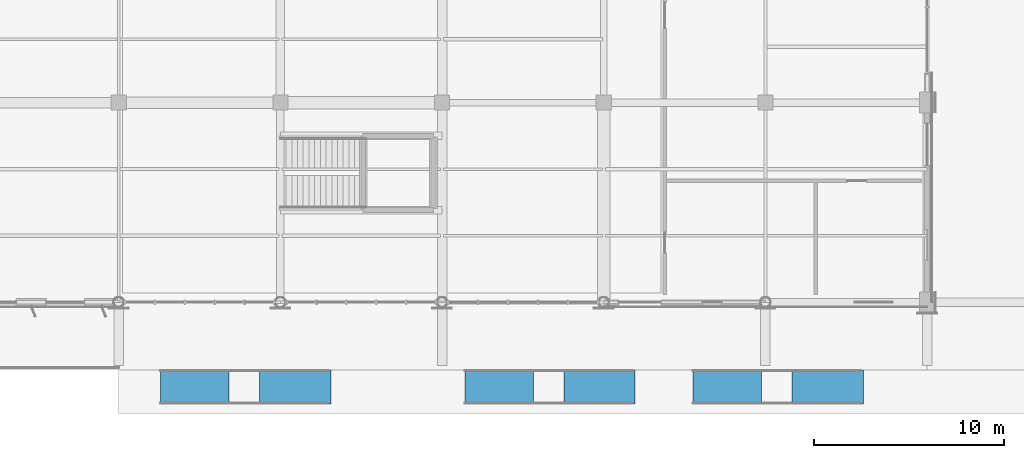
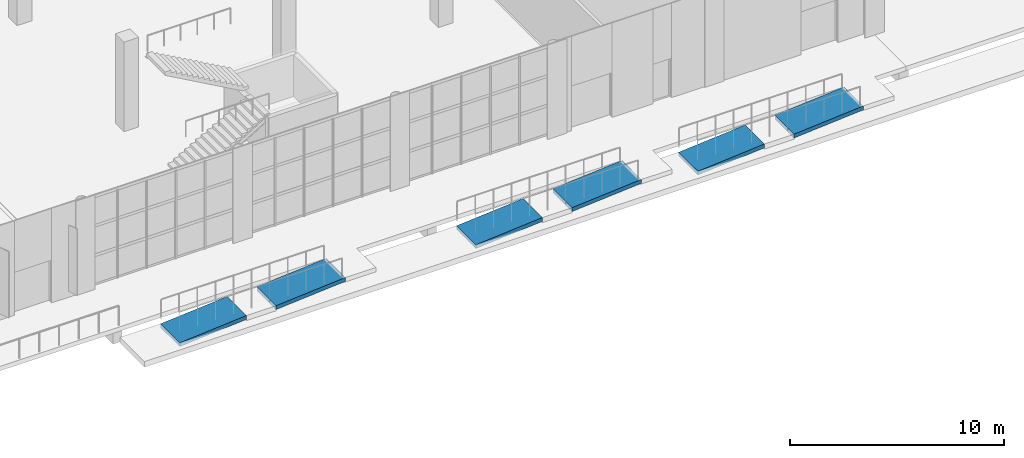
# One storey, part 75 of 90: 6 ramp flights, 3 elements without a shape of their own.
"""IFC4 building model written with IfcOpenShell, lengths in metres."""

from ifc_helpers import new_model, si_unit, direction, frame, origin, place, context, subcontext, project, spatial, triangles, material, layer, layer_set, type_object, element, aggregate, save


model = new_model("IFC4")

# Units and contexts
model_context = context("Model", 3, precision=1e-05, world=origin(), true_north=direction((0.0, 1.0)))
body_context = subcontext(model_context, "Body", "Model", "MODEL_VIEW")
ifc_project = project(units=[si_unit("LENGTHUNIT", "METRE"), si_unit("AREAUNIT", "SQUARE_METRE"), si_unit("VOLUMEUNIT", "CUBIC_METRE"), si_unit("PLANEANGLEUNIT", "RADIAN"), si_unit("MASSUNIT", "GRAM", prefix="KILO")], contexts=[model_context])

# Site, building, storey
site_placement = place(None, origin())
site = spatial("IfcSite", under=ifc_project, at=site_placement, CompositionType="ELEMENT")
building_placement = place(site_placement, origin())
building = spatial("IfcBuilding", under=site, at=building_placement, Name="Solvikara Media Centre", CompositionType="ELEMENT")
storey_placement = place(building_placement, origin())
storey = spatial("IfcBuildingStorey", under=building, at=storey_placement, Name="L00", CompositionType="ELEMENT", Elevation=0.0)

# Ramp, ramp flights
ifc_material = material(Name="Concrete fc' 35 MPa (C35/45)", Category="concrete")
ramp_type = type_object("IfcRampType", Name="RP-01", PredefinedType="TWO_STRAIGHT_RUN_RAMP", material=ifc_material)
ramp_1_placement = place(storey_placement, origin())
ramp_1 = element("IfcRamp", 1, at=ramp_1_placement, inside=storey, type_object=ramp_type, Name="RMP-01", PredefinedType="TWO_STRAIGHT_RUN_RAMP")
ifc_layer = layer(ifc_material, 0.219970703125)
ifc_layer_set = layer_set([ifc_layer], Name="Concrete fc' 35 MPa (C35/45)")
ramp_flight_type = type_object("IfcRampFlightType", Name="RFG-01", PredefinedType="STRAIGHT", material=ifc_layer_set)
ramp_flight_1_placement = place(storey_placement, frame((36.199951171875, -4.4501953125, -0.60009765625), z_axis=(0.0, 0.0, 1.0), x_axis=(1.0, 0.0, 0.0)))
ramp_flight_1 = element("IfcRampFlight", 2, at=ramp_flight_1_placement, type_object=ramp_flight_type, Name="RPF-01-A", PredefinedType="STRAIGHT", context=body_context, shape_type="Tessellation", body=[
    triangles([(0.0, -0.9000244140625, -0.219970703125), (3.60009765625, -0.9000244140625, 0.080078125), (3.60009765625, -0.9000244140625, 0.300048828125), (0.0, -0.9000244140625, 0.0), (0.0, -0.675018310546875, -0.219970703125), (3.60009765625, -0.675018310546875, 0.080078125), (3.60009765625, -0.675018310546875, 0.300048828125), (0.0, -0.675018310546875, 0.0), (0.0, -0.45001220703125, -0.219970703125), (3.60009765625, -0.45001220703125, 0.080078125), (3.60009765625, -0.45001220703125, 0.300048828125), (0.0, -0.45001220703125, 0.0), (0.0, -0.225006103515625, -0.219970703125), (3.60009765625, -0.225006103515625, 0.080078125), (3.60009765625, -0.225006103515625, 0.300048828125), (0.0, -0.225006103515625, 0.0), (0.0, 0.0, -0.219970703125), (3.60009765625, 0.0, 0.080078125), (3.60009765625, 0.0, 0.300048828125), (0.0, 0.0, 0.0), (0.0, 0.225006103515625, -0.219970703125), (3.60009765625, 0.225006103515625, 0.080078125), (3.60009765625, 0.225006103515625, 0.300048828125), (0.0, 0.225006103515625, 0.0), (0.0, 0.45001220703125, -0.219970703125), (3.60009765625, 0.45001220703125, 0.080078125), (3.60009765625, 0.45001220703125, 0.300048828125), (0.0, 0.45001220703125, 0.0), (0.0, 0.675018310546875, -0.219970703125), (3.60009765625, 0.675018310546875, 0.080078125), (3.60009765625, 0.675018310546875, 0.300048828125), (0.0, 0.675018310546875, 0.0), (0.0, 0.9000244140625, -0.219970703125), (3.60009765625, 0.9000244140625, 0.080078125), (3.60009765625, 0.9000244140625, 0.300048828125), (0.0, 0.9000244140625, 0.0), (1.800048828125, -0.7875213623046875, -0.0699462890625), (3.60009765625, -0.7875213623046875, 0.1900634765625), (1.800048828125, -0.7875213623046875, 0.1500244140625), (0.0, -0.7875213623046875, -0.1099853515625), (1.800048828125, -0.5625152587890625, -0.0699462890625), (3.60009765625, -0.5625152587890625, 0.1900634765625), (1.800048828125, -0.5625152587890625, 0.1500244140625), (0.0, -0.5625152587890625, -0.1099853515625), (1.800048828125, -0.3375091552734375, -0.0699462890625), (3.60009765625, -0.3375091552734375, 0.1900634765625), (1.800048828125, -0.3375091552734375, 0.1500244140625), (0.0, -0.3375091552734375, -0.1099853515625), (1.800048828125, -0.1125030517578125, -0.0699462890625), (3.60009765625, -0.1125030517578125, 0.1900634765625), (1.800048828125, -0.1125030517578125, 0.1500244140625), (0.0, -0.1125030517578125, -0.1099853515625), (1.800048828125, 0.1125030517578125, -0.0699462890625), (3.60009765625, 0.1125030517578125, 0.1900634765625), (1.800048828125, 0.1125030517578125, 0.1500244140625), (0.0, 0.1125030517578125, -0.1099853515625), (1.800048828125, 0.3375091552734375, -0.0699462890625), (3.60009765625, 0.3375091552734375, 0.1900634765625), (1.800048828125, 0.3375091552734375, 0.1500244140625), (0.0, 0.3375091552734375, -0.1099853515625), (1.800048828125, 0.5625152587890625, -0.0699462890625), (3.60009765625, 0.5625152587890625, 0.1900634765625), (1.800048828125, 0.5625152587890625, 0.1500244140625), (0.0, 0.5625152587890625, -0.1099853515625), (1.800048828125, 0.7875213623046875, -0.0699462890625), (3.60009765625, 0.7875213623046875, 0.1900634765625), (1.800048828125, 0.7875213623046875, 0.1500244140625), (0.0, 0.7875213623046875, -0.1099853515625)], [[1, 5, 37], [5, 6, 37], [6, 2, 37], [2, 1, 37], [2, 6, 38], [6, 7, 38], [7, 3, 38], [3, 2, 38], [3, 7, 39], [7, 8, 39], [8, 4, 39], [4, 3, 39], [4, 8, 40], [8, 5, 40], [5, 1, 40], [1, 4, 40], [5, 9, 41], [9, 10, 41], [10, 6, 41], [6, 5, 41], [6, 10, 42], [10, 11, 42], [11, 7, 42], [7, 6, 42], [7, 11, 43], [11, 12, 43], [12, 8, 43], [8, 7, 43], [8, 12, 44], [12, 9, 44], [9, 5, 44], [5, 8, 44], [9, 13, 45], [13, 14, 45], [14, 10, 45], [10, 9, 45], [10, 14, 46], [14, 15, 46], [15, 11, 46], [11, 10, 46], [11, 15, 47], [15, 16, 47], [16, 12, 47], [12, 11, 47], [12, 16, 48], [16, 13, 48], [13, 9, 48], [9, 12, 48], [13, 17, 49], [17, 18, 49], [18, 14, 49], [14, 13, 49], [14, 18, 50], [18, 19, 50], [19, 15, 50], [15, 14, 50], [15, 19, 51], [19, 20, 51], [20, 16, 51], [16, 15, 51], [16, 20, 52], [20, 17, 52], [17, 13, 52], [13, 16, 52], [17, 21, 53], [21, 22, 53], [22, 18, 53], [18, 17, 53], [18, 22, 54], [22, 23, 54], [23, 19, 54], [19, 18, 54], [19, 23, 55], [23, 24, 55], [24, 20, 55], [20, 19, 55], [20, 24, 56], [24, 21, 56], [21, 17, 56], [17, 20, 56], [21, 25, 57], [25, 26, 57], [26, 22, 57], [22, 21, 57], [22, 26, 58], [26, 27, 58], [27, 23, 58], [23, 22, 58], [23, 27, 59], [27, 28, 59], [28, 24, 59], [24, 23, 59], [24, 28, 60], [28, 25, 60], [25, 21, 60], [21, 24, 60], [25, 29, 61], [29, 30, 61], [30, 26, 61], [26, 25, 61], [26, 30, 62], [30, 31, 62], [31, 27, 62], [27, 26, 62], [27, 31, 63], [31, 32, 63], [32, 28, 63], [28, 27, 63], [28, 32, 64], [32, 29, 64], [29, 25, 64], [25, 28, 64], [29, 33, 65], [33, 34, 65], [34, 30, 65], [30, 29, 65], [30, 34, 66], [34, 35, 66], [35, 31, 66], [31, 30, 66], [31, 35, 67], [35, 36, 67], [36, 32, 67], [32, 31, 67], [32, 36, 68], [36, 33, 68], [33, 29, 68], [29, 32, 68], [4, 1, 2], [36, 34, 33], [2, 3, 4], [34, 36, 35]], closed=True),
])
ramp_flight_2_placement = place(storey_placement, frame((41.39990234375, -4.4501953125, -0.300048828125), z_axis=(0.0, 0.0, 1.0), x_axis=(1.0, 0.0, 0.0)))
ramp_flight_2 = element("IfcRampFlight", 3, at=ramp_flight_2_placement, type_object=ramp_flight_type, Name="RPF-01-B", PredefinedType="STRAIGHT", context=body_context, shape_type="Tessellation", body=[
    triangles([(0.0, -0.9000244140625, -0.219970703125), (3.75, -0.9000244140625, 0.080078125), (3.75, -0.9000244140625, 0.300048828125), (0.0, -0.9000244140625, 0.0), (0.0, -0.675018310546875, -0.219970703125), (3.75, -0.675018310546875, 0.080078125), (3.75, -0.675018310546875, 0.300048828125), (0.0, -0.675018310546875, 0.0), (0.0, -0.45001220703125, -0.219970703125), (3.75, -0.45001220703125, 0.080078125), (3.75, -0.45001220703125, 0.300048828125), (0.0, -0.45001220703125, 0.0), (0.0, -0.225006103515625, -0.219970703125), (3.75, -0.225006103515625, 0.080078125), (3.75, -0.225006103515625, 0.300048828125), (0.0, -0.225006103515625, 0.0), (0.0, 0.0, -0.219970703125), (3.75, 0.0, 0.080078125), (3.75, 0.0, 0.300048828125), (0.0, 0.0, 0.0), (0.0, 0.225006103515625, -0.219970703125), (3.75, 0.225006103515625, 0.080078125), (3.75, 0.225006103515625, 0.300048828125), (0.0, 0.225006103515625, 0.0), (0.0, 0.45001220703125, -0.219970703125), (3.75, 0.45001220703125, 0.080078125), (3.75, 0.45001220703125, 0.300048828125), (0.0, 0.45001220703125, 0.0), (0.0, 0.675018310546875, -0.219970703125), (3.75, 0.675018310546875, 0.080078125), (3.75, 0.675018310546875, 0.300048828125), (0.0, 0.675018310546875, 0.0), (0.0, 0.9000244140625, -0.219970703125), (3.75, 0.9000244140625, 0.080078125), (3.75, 0.9000244140625, 0.300048828125), (0.0, 0.9000244140625, 0.0), (1.875, -0.7875213623046875, -0.0699462890625), (3.75, -0.7875213623046875, 0.1900634765625), (1.875, -0.7875213623046875, 0.1500244140625), (0.0, -0.7875213623046875, -0.1099853515625), (1.875, -0.5625152587890625, -0.0699462890625), (3.75, -0.5625152587890625, 0.1900634765625), (1.875, -0.5625152587890625, 0.1500244140625), (0.0, -0.5625152587890625, -0.1099853515625), (1.875, -0.3375091552734375, -0.0699462890625), (3.75, -0.3375091552734375, 0.1900634765625), (1.875, -0.3375091552734375, 0.1500244140625), (0.0, -0.3375091552734375, -0.1099853515625), (1.875, -0.1125030517578125, -0.0699462890625), (3.75, -0.1125030517578125, 0.1900634765625), (1.875, -0.1125030517578125, 0.1500244140625), (0.0, -0.1125030517578125, -0.1099853515625), (1.875, 0.1125030517578125, -0.0699462890625), (3.75, 0.1125030517578125, 0.1900634765625), (1.875, 0.1125030517578125, 0.1500244140625), (0.0, 0.1125030517578125, -0.1099853515625), (1.875, 0.3375091552734375, -0.0699462890625), (3.75, 0.3375091552734375, 0.1900634765625), (1.875, 0.3375091552734375, 0.1500244140625), (0.0, 0.3375091552734375, -0.1099853515625), (1.875, 0.5625152587890625, -0.0699462890625), (3.75, 0.5625152587890625, 0.1900634765625), (1.875, 0.5625152587890625, 0.1500244140625), (0.0, 0.5625152587890625, -0.1099853515625), (1.875, 0.7875213623046875, -0.0699462890625), (3.75, 0.7875213623046875, 0.1900634765625), (1.875, 0.7875213623046875, 0.1500244140625), (0.0, 0.7875213623046875, -0.1099853515625)], [[1, 5, 37], [5, 6, 37], [6, 2, 37], [2, 1, 37], [2, 6, 38], [6, 7, 38], [7, 3, 38], [3, 2, 38], [3, 7, 39], [7, 8, 39], [8, 4, 39], [4, 3, 39], [4, 8, 40], [8, 5, 40], [5, 1, 40], [1, 4, 40], [5, 9, 41], [9, 10, 41], [10, 6, 41], [6, 5, 41], [6, 10, 42], [10, 11, 42], [11, 7, 42], [7, 6, 42], [7, 11, 43], [11, 12, 43], [12, 8, 43], [8, 7, 43], [8, 12, 44], [12, 9, 44], [9, 5, 44], [5, 8, 44], [9, 13, 45], [13, 14, 45], [14, 10, 45], [10, 9, 45], [10, 14, 46], [14, 15, 46], [15, 11, 46], [11, 10, 46], [11, 15, 47], [15, 16, 47], [16, 12, 47], [12, 11, 47], [12, 16, 48], [16, 13, 48], [13, 9, 48], [9, 12, 48], [13, 17, 49], [17, 18, 49], [18, 14, 49], [14, 13, 49], [14, 18, 50], [18, 19, 50], [19, 15, 50], [15, 14, 50], [15, 19, 51], [19, 20, 51], [20, 16, 51], [16, 15, 51], [16, 20, 52], [20, 17, 52], [17, 13, 52], [13, 16, 52], [17, 21, 53], [21, 22, 53], [22, 18, 53], [18, 17, 53], [18, 22, 54], [22, 23, 54], [23, 19, 54], [19, 18, 54], [19, 23, 55], [23, 24, 55], [24, 20, 55], [20, 19, 55], [20, 24, 56], [24, 21, 56], [21, 17, 56], [17, 20, 56], [21, 25, 57], [25, 26, 57], [26, 22, 57], [22, 21, 57], [22, 26, 58], [26, 27, 58], [27, 23, 58], [23, 22, 58], [23, 27, 59], [27, 28, 59], [28, 24, 59], [24, 23, 59], [24, 28, 60], [28, 25, 60], [25, 21, 60], [21, 24, 60], [25, 29, 61], [29, 30, 61], [30, 26, 61], [26, 25, 61], [26, 30, 62], [30, 31, 62], [31, 27, 62], [27, 26, 62], [27, 31, 63], [31, 32, 63], [32, 28, 63], [28, 27, 63], [28, 32, 64], [32, 29, 64], [29, 25, 64], [25, 28, 64], [29, 33, 65], [33, 34, 65], [34, 30, 65], [30, 29, 65], [30, 34, 66], [34, 35, 66], [35, 31, 66], [31, 30, 66], [31, 35, 67], [35, 36, 67], [36, 32, 67], [32, 31, 67], [32, 36, 68], [36, 33, 68], [33, 29, 68], [29, 32, 68], [4, 1, 2], [36, 34, 33], [2, 3, 4], [34, 36, 35]], closed=True),
])
aggregate(ramp_1, [ramp_flight_1, ramp_flight_2])

ramp_2_placement = place(storey_placement, origin())
ramp_2 = element("IfcRamp", 4, at=ramp_2_placement, inside=storey, type_object=ramp_type, Name="RMP-02", PredefinedType="TWO_STRAIGHT_RUN_RAMP")
ramp_flight_3_placement = place(storey_placement, frame((52.199951171875, -4.4501953125, -0.60009765625), z_axis=(0.0, 0.0, 1.0), x_axis=(1.0, 0.0, 0.0)))
ramp_flight_3 = element("IfcRampFlight", 5, at=ramp_flight_3_placement, type_object=ramp_flight_type, Name="RPF-02-A", PredefinedType="STRAIGHT", context=body_context, shape_type="Tessellation", body=[
    triangles([(0.0, -0.9000244140625, -0.219970703125), (3.60009765625, -0.9000244140625, 0.080078125), (3.60009765625, -0.9000244140625, 0.300048828125), (0.0, -0.9000244140625, 0.0), (0.0, -0.675018310546875, -0.219970703125), (3.60009765625, -0.675018310546875, 0.080078125), (3.60009765625, -0.675018310546875, 0.300048828125), (0.0, -0.675018310546875, 0.0), (0.0, -0.45001220703125, -0.219970703125), (3.60009765625, -0.45001220703125, 0.080078125), (3.60009765625, -0.45001220703125, 0.300048828125), (0.0, -0.45001220703125, 0.0), (0.0, -0.225006103515625, -0.219970703125), (3.60009765625, -0.225006103515625, 0.080078125), (3.60009765625, -0.225006103515625, 0.300048828125), (0.0, -0.225006103515625, 0.0), (0.0, 0.0, -0.219970703125), (3.60009765625, 0.0, 0.080078125), (3.60009765625, 0.0, 0.300048828125), (0.0, 0.0, 0.0), (0.0, 0.225006103515625, -0.219970703125), (3.60009765625, 0.225006103515625, 0.080078125), (3.60009765625, 0.225006103515625, 0.300048828125), (0.0, 0.225006103515625, 0.0), (0.0, 0.45001220703125, -0.219970703125), (3.60009765625, 0.45001220703125, 0.080078125), (3.60009765625, 0.45001220703125, 0.300048828125), (0.0, 0.45001220703125, 0.0), (0.0, 0.675018310546875, -0.219970703125), (3.60009765625, 0.675018310546875, 0.080078125), (3.60009765625, 0.675018310546875, 0.300048828125), (0.0, 0.675018310546875, 0.0), (0.0, 0.9000244140625, -0.219970703125), (3.60009765625, 0.9000244140625, 0.080078125), (3.60009765625, 0.9000244140625, 0.300048828125), (0.0, 0.9000244140625, 0.0), (1.800048828125, -0.7875213623046875, -0.0699462890625), (3.60009765625, -0.7875213623046875, 0.1900634765625), (1.800048828125, -0.7875213623046875, 0.1500244140625), (0.0, -0.7875213623046875, -0.1099853515625), (1.800048828125, -0.5625152587890625, -0.0699462890625), (3.60009765625, -0.5625152587890625, 0.1900634765625), (1.800048828125, -0.5625152587890625, 0.1500244140625), (0.0, -0.5625152587890625, -0.1099853515625), (1.800048828125, -0.3375091552734375, -0.0699462890625), (3.60009765625, -0.3375091552734375, 0.1900634765625), (1.800048828125, -0.3375091552734375, 0.1500244140625), (0.0, -0.3375091552734375, -0.1099853515625), (1.800048828125, -0.1125030517578125, -0.0699462890625), (3.60009765625, -0.1125030517578125, 0.1900634765625), (1.800048828125, -0.1125030517578125, 0.1500244140625), (0.0, -0.1125030517578125, -0.1099853515625), (1.800048828125, 0.1125030517578125, -0.0699462890625), (3.60009765625, 0.1125030517578125, 0.1900634765625), (1.800048828125, 0.1125030517578125, 0.1500244140625), (0.0, 0.1125030517578125, -0.1099853515625), (1.800048828125, 0.3375091552734375, -0.0699462890625), (3.60009765625, 0.3375091552734375, 0.1900634765625), (1.800048828125, 0.3375091552734375, 0.1500244140625), (0.0, 0.3375091552734375, -0.1099853515625), (1.800048828125, 0.5625152587890625, -0.0699462890625), (3.60009765625, 0.5625152587890625, 0.1900634765625), (1.800048828125, 0.5625152587890625, 0.1500244140625), (0.0, 0.5625152587890625, -0.1099853515625), (1.800048828125, 0.7875213623046875, -0.0699462890625), (3.60009765625, 0.7875213623046875, 0.1900634765625), (1.800048828125, 0.7875213623046875, 0.1500244140625), (0.0, 0.7875213623046875, -0.1099853515625)], [[1, 5, 37], [5, 6, 37], [6, 2, 37], [2, 1, 37], [2, 6, 38], [6, 7, 38], [7, 3, 38], [3, 2, 38], [3, 7, 39], [7, 8, 39], [8, 4, 39], [4, 3, 39], [4, 8, 40], [8, 5, 40], [5, 1, 40], [1, 4, 40], [5, 9, 41], [9, 10, 41], [10, 6, 41], [6, 5, 41], [6, 10, 42], [10, 11, 42], [11, 7, 42], [7, 6, 42], [7, 11, 43], [11, 12, 43], [12, 8, 43], [8, 7, 43], [8, 12, 44], [12, 9, 44], [9, 5, 44], [5, 8, 44], [9, 13, 45], [13, 14, 45], [14, 10, 45], [10, 9, 45], [10, 14, 46], [14, 15, 46], [15, 11, 46], [11, 10, 46], [11, 15, 47], [15, 16, 47], [16, 12, 47], [12, 11, 47], [12, 16, 48], [16, 13, 48], [13, 9, 48], [9, 12, 48], [13, 17, 49], [17, 18, 49], [18, 14, 49], [14, 13, 49], [14, 18, 50], [18, 19, 50], [19, 15, 50], [15, 14, 50], [15, 19, 51], [19, 20, 51], [20, 16, 51], [16, 15, 51], [16, 20, 52], [20, 17, 52], [17, 13, 52], [13, 16, 52], [17, 21, 53], [21, 22, 53], [22, 18, 53], [18, 17, 53], [18, 22, 54], [22, 23, 54], [23, 19, 54], [19, 18, 54], [19, 23, 55], [23, 24, 55], [24, 20, 55], [20, 19, 55], [20, 24, 56], [24, 21, 56], [21, 17, 56], [17, 20, 56], [21, 25, 57], [25, 26, 57], [26, 22, 57], [22, 21, 57], [22, 26, 58], [26, 27, 58], [27, 23, 58], [23, 22, 58], [23, 27, 59], [27, 28, 59], [28, 24, 59], [24, 23, 59], [24, 28, 60], [28, 25, 60], [25, 21, 60], [21, 24, 60], [25, 29, 61], [29, 30, 61], [30, 26, 61], [26, 25, 61], [26, 30, 62], [30, 31, 62], [31, 27, 62], [27, 26, 62], [27, 31, 63], [31, 32, 63], [32, 28, 63], [28, 27, 63], [28, 32, 64], [32, 29, 64], [29, 25, 64], [25, 28, 64], [29, 33, 65], [33, 34, 65], [34, 30, 65], [30, 29, 65], [30, 34, 66], [34, 35, 66], [35, 31, 66], [31, 30, 66], [31, 35, 67], [35, 36, 67], [36, 32, 67], [32, 31, 67], [32, 36, 68], [36, 33, 68], [33, 29, 68], [29, 32, 68], [4, 1, 2], [36, 34, 33], [2, 3, 4], [34, 36, 35]], closed=True),
])
ramp_flight_4_placement = place(storey_placement, frame((57.39990234375, -4.4501953125, -0.300048828125), z_axis=(0.0, 0.0, 1.0), x_axis=(1.0, 0.0, 0.0)))
ramp_flight_4 = element("IfcRampFlight", 6, at=ramp_flight_4_placement, type_object=ramp_flight_type, Name="RPF-02-B", PredefinedType="STRAIGHT", context=body_context, shape_type="Tessellation", body=[
    triangles([(0.0, -0.9000244140625, -0.219970703125), (3.75, -0.9000244140625, 0.080078125), (3.75, -0.9000244140625, 0.300048828125), (0.0, -0.9000244140625, 0.0), (0.0, -0.675018310546875, -0.219970703125), (3.75, -0.675018310546875, 0.080078125), (3.75, -0.675018310546875, 0.300048828125), (0.0, -0.675018310546875, 0.0), (0.0, -0.45001220703125, -0.219970703125), (3.75, -0.45001220703125, 0.080078125), (3.75, -0.45001220703125, 0.300048828125), (0.0, -0.45001220703125, 0.0), (0.0, -0.225006103515625, -0.219970703125), (3.75, -0.225006103515625, 0.080078125), (3.75, -0.225006103515625, 0.300048828125), (0.0, -0.225006103515625, 0.0), (0.0, 0.0, -0.219970703125), (3.75, 0.0, 0.080078125), (3.75, 0.0, 0.300048828125), (0.0, 0.0, 0.0), (0.0, 0.225006103515625, -0.219970703125), (3.75, 0.225006103515625, 0.080078125), (3.75, 0.225006103515625, 0.300048828125), (0.0, 0.225006103515625, 0.0), (0.0, 0.45001220703125, -0.219970703125), (3.75, 0.45001220703125, 0.080078125), (3.75, 0.45001220703125, 0.300048828125), (0.0, 0.45001220703125, 0.0), (0.0, 0.675018310546875, -0.219970703125), (3.75, 0.675018310546875, 0.080078125), (3.75, 0.675018310546875, 0.300048828125), (0.0, 0.675018310546875, 0.0), (0.0, 0.9000244140625, -0.219970703125), (3.75, 0.9000244140625, 0.080078125), (3.75, 0.9000244140625, 0.300048828125), (0.0, 0.9000244140625, 0.0), (1.875, -0.7875213623046875, -0.0699462890625), (3.75, -0.7875213623046875, 0.1900634765625), (1.875, -0.7875213623046875, 0.1500244140625), (0.0, -0.7875213623046875, -0.1099853515625), (1.875, -0.5625152587890625, -0.0699462890625), (3.75, -0.5625152587890625, 0.1900634765625), (1.875, -0.5625152587890625, 0.1500244140625), (0.0, -0.5625152587890625, -0.1099853515625), (1.875, -0.3375091552734375, -0.0699462890625), (3.75, -0.3375091552734375, 0.1900634765625), (1.875, -0.3375091552734375, 0.1500244140625), (0.0, -0.3375091552734375, -0.1099853515625), (1.875, -0.1125030517578125, -0.0699462890625), (3.75, -0.1125030517578125, 0.1900634765625), (1.875, -0.1125030517578125, 0.1500244140625), (0.0, -0.1125030517578125, -0.1099853515625), (1.875, 0.1125030517578125, -0.0699462890625), (3.75, 0.1125030517578125, 0.1900634765625), (1.875, 0.1125030517578125, 0.1500244140625), (0.0, 0.1125030517578125, -0.1099853515625), (1.875, 0.3375091552734375, -0.0699462890625), (3.75, 0.3375091552734375, 0.1900634765625), (1.875, 0.3375091552734375, 0.1500244140625), (0.0, 0.3375091552734375, -0.1099853515625), (1.875, 0.5625152587890625, -0.0699462890625), (3.75, 0.5625152587890625, 0.1900634765625), (1.875, 0.5625152587890625, 0.1500244140625), (0.0, 0.5625152587890625, -0.1099853515625), (1.875, 0.7875213623046875, -0.0699462890625), (3.75, 0.7875213623046875, 0.1900634765625), (1.875, 0.7875213623046875, 0.1500244140625), (0.0, 0.7875213623046875, -0.1099853515625)], [[1, 5, 37], [5, 6, 37], [6, 2, 37], [2, 1, 37], [2, 6, 38], [6, 7, 38], [7, 3, 38], [3, 2, 38], [3, 7, 39], [7, 8, 39], [8, 4, 39], [4, 3, 39], [4, 8, 40], [8, 5, 40], [5, 1, 40], [1, 4, 40], [5, 9, 41], [9, 10, 41], [10, 6, 41], [6, 5, 41], [6, 10, 42], [10, 11, 42], [11, 7, 42], [7, 6, 42], [7, 11, 43], [11, 12, 43], [12, 8, 43], [8, 7, 43], [8, 12, 44], [12, 9, 44], [9, 5, 44], [5, 8, 44], [9, 13, 45], [13, 14, 45], [14, 10, 45], [10, 9, 45], [10, 14, 46], [14, 15, 46], [15, 11, 46], [11, 10, 46], [11, 15, 47], [15, 16, 47], [16, 12, 47], [12, 11, 47], [12, 16, 48], [16, 13, 48], [13, 9, 48], [9, 12, 48], [13, 17, 49], [17, 18, 49], [18, 14, 49], [14, 13, 49], [14, 18, 50], [18, 19, 50], [19, 15, 50], [15, 14, 50], [15, 19, 51], [19, 20, 51], [20, 16, 51], [16, 15, 51], [16, 20, 52], [20, 17, 52], [17, 13, 52], [13, 16, 52], [17, 21, 53], [21, 22, 53], [22, 18, 53], [18, 17, 53], [18, 22, 54], [22, 23, 54], [23, 19, 54], [19, 18, 54], [19, 23, 55], [23, 24, 55], [24, 20, 55], [20, 19, 55], [20, 24, 56], [24, 21, 56], [21, 17, 56], [17, 20, 56], [21, 25, 57], [25, 26, 57], [26, 22, 57], [22, 21, 57], [22, 26, 58], [26, 27, 58], [27, 23, 58], [23, 22, 58], [23, 27, 59], [27, 28, 59], [28, 24, 59], [24, 23, 59], [24, 28, 60], [28, 25, 60], [25, 21, 60], [21, 24, 60], [25, 29, 61], [29, 30, 61], [30, 26, 61], [26, 25, 61], [26, 30, 62], [30, 31, 62], [31, 27, 62], [27, 26, 62], [27, 31, 63], [31, 32, 63], [32, 28, 63], [28, 27, 63], [28, 32, 64], [32, 29, 64], [29, 25, 64], [25, 28, 64], [29, 33, 65], [33, 34, 65], [34, 30, 65], [30, 29, 65], [30, 34, 66], [34, 35, 66], [35, 31, 66], [31, 30, 66], [31, 35, 67], [35, 36, 67], [36, 32, 67], [32, 31, 67], [32, 36, 68], [36, 33, 68], [33, 29, 68], [29, 32, 68], [4, 1, 2], [36, 34, 33], [2, 3, 4], [34, 36, 35]], closed=True),
])
aggregate(ramp_2, [ramp_flight_3, ramp_flight_4])

ramp_3_placement = place(storey_placement, origin())
ramp_3 = element("IfcRamp", 7, at=ramp_3_placement, inside=storey, type_object=ramp_type, Name="RMP-03", PredefinedType="TWO_STRAIGHT_RUN_RAMP")
ramp_flight_5_placement = place(storey_placement, frame((64.199951171875, -4.4501953125, -0.60009765625), z_axis=(0.0, 0.0, 1.0), x_axis=(1.0, 0.0, 0.0)))
ramp_flight_5 = element("IfcRampFlight", 8, at=ramp_flight_5_placement, type_object=ramp_flight_type, Name="RPF-03-A", PredefinedType="STRAIGHT", context=body_context, shape_type="Tessellation", body=[
    triangles([(0.0, -0.9000244140625, -0.219970703125), (3.60009765625, -0.9000244140625, 0.080078125), (3.60009765625, -0.9000244140625, 0.300048828125), (0.0, -0.9000244140625, 0.0), (0.0, -0.675018310546875, -0.219970703125), (3.60009765625, -0.675018310546875, 0.080078125), (3.60009765625, -0.675018310546875, 0.300048828125), (0.0, -0.675018310546875, 0.0), (0.0, -0.45001220703125, -0.219970703125), (3.60009765625, -0.45001220703125, 0.080078125), (3.60009765625, -0.45001220703125, 0.300048828125), (0.0, -0.45001220703125, 0.0), (0.0, -0.225006103515625, -0.219970703125), (3.60009765625, -0.225006103515625, 0.080078125), (3.60009765625, -0.225006103515625, 0.300048828125), (0.0, -0.225006103515625, 0.0), (0.0, 0.0, -0.219970703125), (3.60009765625, 0.0, 0.080078125), (3.60009765625, 0.0, 0.300048828125), (0.0, 0.0, 0.0), (0.0, 0.225006103515625, -0.219970703125), (3.60009765625, 0.225006103515625, 0.080078125), (3.60009765625, 0.225006103515625, 0.300048828125), (0.0, 0.225006103515625, 0.0), (0.0, 0.45001220703125, -0.219970703125), (3.60009765625, 0.45001220703125, 0.080078125), (3.60009765625, 0.45001220703125, 0.300048828125), (0.0, 0.45001220703125, 0.0), (0.0, 0.675018310546875, -0.219970703125), (3.60009765625, 0.675018310546875, 0.080078125), (3.60009765625, 0.675018310546875, 0.300048828125), (0.0, 0.675018310546875, 0.0), (0.0, 0.9000244140625, -0.219970703125), (3.60009765625, 0.9000244140625, 0.080078125), (3.60009765625, 0.9000244140625, 0.300048828125), (0.0, 0.9000244140625, 0.0), (1.800048828125, -0.7875213623046875, -0.0699462890625), (3.60009765625, -0.7875213623046875, 0.1900634765625), (1.800048828125, -0.7875213623046875, 0.1500244140625), (0.0, -0.7875213623046875, -0.1099853515625), (1.800048828125, -0.5625152587890625, -0.0699462890625), (3.60009765625, -0.5625152587890625, 0.1900634765625), (1.800048828125, -0.5625152587890625, 0.1500244140625), (0.0, -0.5625152587890625, -0.1099853515625), (1.800048828125, -0.3375091552734375, -0.0699462890625), (3.60009765625, -0.3375091552734375, 0.1900634765625), (1.800048828125, -0.3375091552734375, 0.1500244140625), (0.0, -0.3375091552734375, -0.1099853515625), (1.800048828125, -0.1125030517578125, -0.0699462890625), (3.60009765625, -0.1125030517578125, 0.1900634765625), (1.800048828125, -0.1125030517578125, 0.1500244140625), (0.0, -0.1125030517578125, -0.1099853515625), (1.800048828125, 0.1125030517578125, -0.0699462890625), (3.60009765625, 0.1125030517578125, 0.1900634765625), (1.800048828125, 0.1125030517578125, 0.1500244140625), (0.0, 0.1125030517578125, -0.1099853515625), (1.800048828125, 0.3375091552734375, -0.0699462890625), (3.60009765625, 0.3375091552734375, 0.1900634765625), (1.800048828125, 0.3375091552734375, 0.1500244140625), (0.0, 0.3375091552734375, -0.1099853515625), (1.800048828125, 0.5625152587890625, -0.0699462890625), (3.60009765625, 0.5625152587890625, 0.1900634765625), (1.800048828125, 0.5625152587890625, 0.1500244140625), (0.0, 0.5625152587890625, -0.1099853515625), (1.800048828125, 0.7875213623046875, -0.0699462890625), (3.60009765625, 0.7875213623046875, 0.1900634765625), (1.800048828125, 0.7875213623046875, 0.1500244140625), (0.0, 0.7875213623046875, -0.1099853515625)], [[1, 5, 37], [5, 6, 37], [6, 2, 37], [2, 1, 37], [2, 6, 38], [6, 7, 38], [7, 3, 38], [3, 2, 38], [3, 7, 39], [7, 8, 39], [8, 4, 39], [4, 3, 39], [4, 8, 40], [8, 5, 40], [5, 1, 40], [1, 4, 40], [5, 9, 41], [9, 10, 41], [10, 6, 41], [6, 5, 41], [6, 10, 42], [10, 11, 42], [11, 7, 42], [7, 6, 42], [7, 11, 43], [11, 12, 43], [12, 8, 43], [8, 7, 43], [8, 12, 44], [12, 9, 44], [9, 5, 44], [5, 8, 44], [9, 13, 45], [13, 14, 45], [14, 10, 45], [10, 9, 45], [10, 14, 46], [14, 15, 46], [15, 11, 46], [11, 10, 46], [11, 15, 47], [15, 16, 47], [16, 12, 47], [12, 11, 47], [12, 16, 48], [16, 13, 48], [13, 9, 48], [9, 12, 48], [13, 17, 49], [17, 18, 49], [18, 14, 49], [14, 13, 49], [14, 18, 50], [18, 19, 50], [19, 15, 50], [15, 14, 50], [15, 19, 51], [19, 20, 51], [20, 16, 51], [16, 15, 51], [16, 20, 52], [20, 17, 52], [17, 13, 52], [13, 16, 52], [17, 21, 53], [21, 22, 53], [22, 18, 53], [18, 17, 53], [18, 22, 54], [22, 23, 54], [23, 19, 54], [19, 18, 54], [19, 23, 55], [23, 24, 55], [24, 20, 55], [20, 19, 55], [20, 24, 56], [24, 21, 56], [21, 17, 56], [17, 20, 56], [21, 25, 57], [25, 26, 57], [26, 22, 57], [22, 21, 57], [22, 26, 58], [26, 27, 58], [27, 23, 58], [23, 22, 58], [23, 27, 59], [27, 28, 59], [28, 24, 59], [24, 23, 59], [24, 28, 60], [28, 25, 60], [25, 21, 60], [21, 24, 60], [25, 29, 61], [29, 30, 61], [30, 26, 61], [26, 25, 61], [26, 30, 62], [30, 31, 62], [31, 27, 62], [27, 26, 62], [27, 31, 63], [31, 32, 63], [32, 28, 63], [28, 27, 63], [28, 32, 64], [32, 29, 64], [29, 25, 64], [25, 28, 64], [29, 33, 65], [33, 34, 65], [34, 30, 65], [30, 29, 65], [30, 34, 66], [34, 35, 66], [35, 31, 66], [31, 30, 66], [31, 35, 67], [35, 36, 67], [36, 32, 67], [32, 31, 67], [32, 36, 68], [36, 33, 68], [33, 29, 68], [29, 32, 68], [4, 1, 2], [36, 34, 33], [2, 3, 4], [34, 36, 35]], closed=True),
])
ramp_flight_6_placement = place(storey_placement, frame((69.39990234375, -4.4501953125, -0.300048828125), z_axis=(0.0, 0.0, 1.0), x_axis=(1.0, 0.0, 0.0)))
ramp_flight_6 = element("IfcRampFlight", 9, at=ramp_flight_6_placement, type_object=ramp_flight_type, Name="RPF-03-B", PredefinedType="STRAIGHT", context=body_context, shape_type="Tessellation", body=[
    triangles([(0.0, -0.9000244140625, -0.219970703125), (3.75, -0.9000244140625, 0.080078125), (3.75, -0.9000244140625, 0.300048828125), (0.0, -0.9000244140625, 0.0), (0.0, -0.675018310546875, -0.219970703125), (3.75, -0.675018310546875, 0.080078125), (3.75, -0.675018310546875, 0.300048828125), (0.0, -0.675018310546875, 0.0), (0.0, -0.45001220703125, -0.219970703125), (3.75, -0.45001220703125, 0.080078125), (3.75, -0.45001220703125, 0.300048828125), (0.0, -0.45001220703125, 0.0), (0.0, -0.225006103515625, -0.219970703125), (3.75, -0.225006103515625, 0.080078125), (3.75, -0.225006103515625, 0.300048828125), (0.0, -0.225006103515625, 0.0), (0.0, 0.0, -0.219970703125), (3.75, 0.0, 0.080078125), (3.75, 0.0, 0.300048828125), (0.0, 0.0, 0.0), (0.0, 0.225006103515625, -0.219970703125), (3.75, 0.225006103515625, 0.080078125), (3.75, 0.225006103515625, 0.300048828125), (0.0, 0.225006103515625, 0.0), (0.0, 0.45001220703125, -0.219970703125), (3.75, 0.45001220703125, 0.080078125), (3.75, 0.45001220703125, 0.300048828125), (0.0, 0.45001220703125, 0.0), (0.0, 0.675018310546875, -0.219970703125), (3.75, 0.675018310546875, 0.080078125), (3.75, 0.675018310546875, 0.300048828125), (0.0, 0.675018310546875, 0.0), (0.0, 0.9000244140625, -0.219970703125), (3.75, 0.9000244140625, 0.080078125), (3.75, 0.9000244140625, 0.300048828125), (0.0, 0.9000244140625, 0.0), (1.875, -0.7875213623046875, -0.0699462890625), (3.75, -0.7875213623046875, 0.1900634765625), (1.875, -0.7875213623046875, 0.1500244140625), (0.0, -0.7875213623046875, -0.1099853515625), (1.875, -0.5625152587890625, -0.0699462890625), (3.75, -0.5625152587890625, 0.1900634765625), (1.875, -0.5625152587890625, 0.1500244140625), (0.0, -0.5625152587890625, -0.1099853515625), (1.875, -0.3375091552734375, -0.0699462890625), (3.75, -0.3375091552734375, 0.1900634765625), (1.875, -0.3375091552734375, 0.1500244140625), (0.0, -0.3375091552734375, -0.1099853515625), (1.875, -0.1125030517578125, -0.0699462890625), (3.75, -0.1125030517578125, 0.1900634765625), (1.875, -0.1125030517578125, 0.1500244140625), (0.0, -0.1125030517578125, -0.1099853515625), (1.875, 0.1125030517578125, -0.0699462890625), (3.75, 0.1125030517578125, 0.1900634765625), (1.875, 0.1125030517578125, 0.1500244140625), (0.0, 0.1125030517578125, -0.1099853515625), (1.875, 0.3375091552734375, -0.0699462890625), (3.75, 0.3375091552734375, 0.1900634765625), (1.875, 0.3375091552734375, 0.1500244140625), (0.0, 0.3375091552734375, -0.1099853515625), (1.875, 0.5625152587890625, -0.0699462890625), (3.75, 0.5625152587890625, 0.1900634765625), (1.875, 0.5625152587890625, 0.1500244140625), (0.0, 0.5625152587890625, -0.1099853515625), (1.875, 0.7875213623046875, -0.0699462890625), (3.75, 0.7875213623046875, 0.1900634765625), (1.875, 0.7875213623046875, 0.1500244140625), (0.0, 0.7875213623046875, -0.1099853515625)], [[1, 5, 37], [5, 6, 37], [6, 2, 37], [2, 1, 37], [2, 6, 38], [6, 7, 38], [7, 3, 38], [3, 2, 38], [3, 7, 39], [7, 8, 39], [8, 4, 39], [4, 3, 39], [4, 8, 40], [8, 5, 40], [5, 1, 40], [1, 4, 40], [5, 9, 41], [9, 10, 41], [10, 6, 41], [6, 5, 41], [6, 10, 42], [10, 11, 42], [11, 7, 42], [7, 6, 42], [7, 11, 43], [11, 12, 43], [12, 8, 43], [8, 7, 43], [8, 12, 44], [12, 9, 44], [9, 5, 44], [5, 8, 44], [9, 13, 45], [13, 14, 45], [14, 10, 45], [10, 9, 45], [10, 14, 46], [14, 15, 46], [15, 11, 46], [11, 10, 46], [11, 15, 47], [15, 16, 47], [16, 12, 47], [12, 11, 47], [12, 16, 48], [16, 13, 48], [13, 9, 48], [9, 12, 48], [13, 17, 49], [17, 18, 49], [18, 14, 49], [14, 13, 49], [14, 18, 50], [18, 19, 50], [19, 15, 50], [15, 14, 50], [15, 19, 51], [19, 20, 51], [20, 16, 51], [16, 15, 51], [16, 20, 52], [20, 17, 52], [17, 13, 52], [13, 16, 52], [17, 21, 53], [21, 22, 53], [22, 18, 53], [18, 17, 53], [18, 22, 54], [22, 23, 54], [23, 19, 54], [19, 18, 54], [19, 23, 55], [23, 24, 55], [24, 20, 55], [20, 19, 55], [20, 24, 56], [24, 21, 56], [21, 17, 56], [17, 20, 56], [21, 25, 57], [25, 26, 57], [26, 22, 57], [22, 21, 57], [22, 26, 58], [26, 27, 58], [27, 23, 58], [23, 22, 58], [23, 27, 59], [27, 28, 59], [28, 24, 59], [24, 23, 59], [24, 28, 60], [28, 25, 60], [25, 21, 60], [21, 24, 60], [25, 29, 61], [29, 30, 61], [30, 26, 61], [26, 25, 61], [26, 30, 62], [30, 31, 62], [31, 27, 62], [27, 26, 62], [27, 31, 63], [31, 32, 63], [32, 28, 63], [28, 27, 63], [28, 32, 64], [32, 29, 64], [29, 25, 64], [25, 28, 64], [29, 33, 65], [33, 34, 65], [34, 30, 65], [30, 29, 65], [30, 34, 66], [34, 35, 66], [35, 31, 66], [31, 30, 66], [31, 35, 67], [35, 36, 67], [36, 32, 67], [32, 31, 67], [32, 36, 68], [36, 33, 68], [33, 29, 68], [29, 32, 68], [4, 1, 2], [36, 34, 33], [2, 3, 4], [34, 36, 35]], closed=True),
])
aggregate(ramp_3, [ramp_flight_5, ramp_flight_6])

save(model, "model.ifc")
